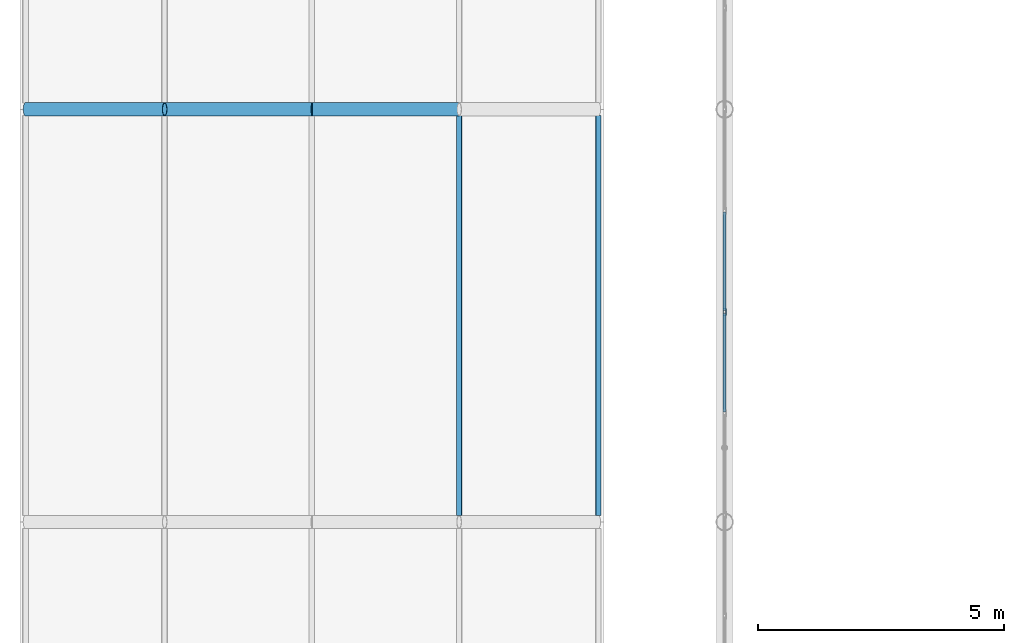
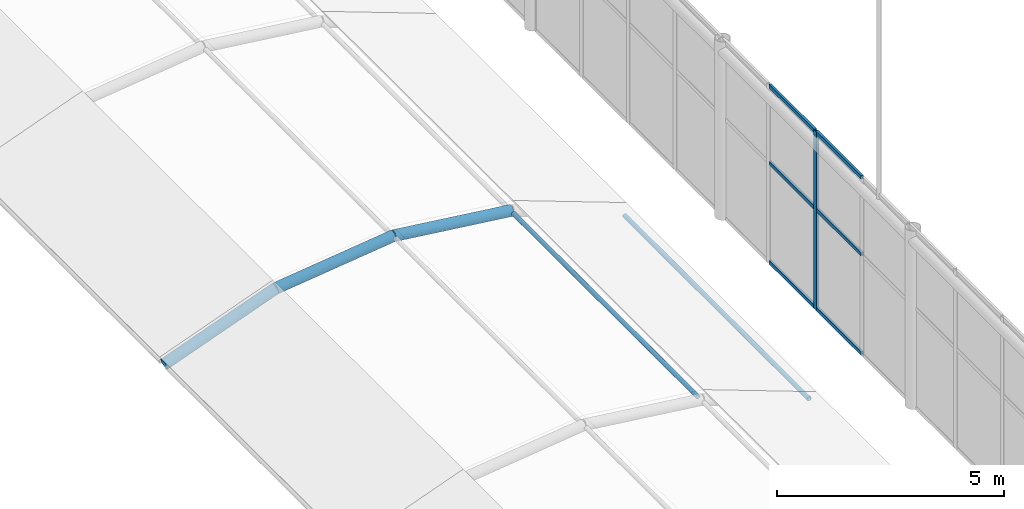
# One storey, part 65 of 167: 12 members, 1 element without a shape of its own.
"""IFC4 building model written with IfcOpenShell, lengths in metres."""

from ifc_helpers import new_model, si_unit, direction, frame, origin, origin_2d, place, context, subcontext, project, spatial, hollow_rectangle, hollow_circle, extrude, material, material_profile, profile_set, type_object, element, aggregate, save


model = new_model("IFC4")

# Units and contexts
model_context = context("Model", 3, precision=1e-05, world=origin(), true_north=direction((0.0, 1.0)))
body_context = subcontext(model_context, "Body", "Model", "MODEL_VIEW")
ifc_project = project(units=[si_unit("LENGTHUNIT", "METRE"), si_unit("AREAUNIT", "SQUARE_METRE"), si_unit("VOLUMEUNIT", "CUBIC_METRE"), si_unit("PLANEANGLEUNIT", "RADIAN"), si_unit("MASSUNIT", "GRAM", prefix="KILO")], contexts=[model_context])

# Site, building, storey
site_placement = place(None, origin())
site = spatial("IfcSite", under=ifc_project, at=site_placement, CompositionType="ELEMENT")
building_placement = place(site_placement, origin())
building = spatial("IfcBuilding", under=site, at=building_placement, Name="Catenary Quay Ferry Terminal", CompositionType="ELEMENT")
storey_placement = place(building_placement, frame((0.0, 0.0, 6.0)))
storey = spatial("IfcBuildingStorey", under=building, at=storey_placement, Name="L01", CompositionType="ELEMENT", Elevation=6.0)

# Curtain wall, member
ifc_material_1 = material(Name="Aluminium and glass", Category="aluminium")
curtain_wall_type = type_object("IfcCurtainWallType", Name="CWG", PredefinedType="NOTDEFINED", material=ifc_material_1)
curtain_wall_placement = place(storey_placement, origin())
curtain_wall = element("IfcCurtainWall", 1, at=curtain_wall_placement, inside=storey, type_object=curtain_wall_type, Name="Gable departure hall curtain wall CW16", PredefinedType="NOTDEFINED")
ifc_material_2 = material(Name="Aluminium", Category="aluminium")
ifc_material_profile_1 = material_profile(ifc_material_2, hollow_rectangle(XDim=0.06005859375, YDim=0.139892578125, WallThickness=0.006103515625, at=origin_2d()), Name="MU2")
ifc_profile_set_1 = profile_set([ifc_material_profile_1], Name="Aluminium")
member_type_1 = type_object("IfcMemberType", Name="MU2", PredefinedType="MULLION", material=ifc_profile_set_1)
member_1_placement = place(storey_placement, frame((25.199951171875, 121.875, 0.0), z_axis=(0.0, 0.0, 1.0), x_axis=(-1.0, 0.0, 0.0)))
member_1 = element("IfcMember", 2, at=member_1_placement, type_object=member_type_1, Name="CW16 mullion 7", PredefinedType="MULLION", context=body_context, shape_type="SweptSolid", body=[
    extrude(hollow_rectangle(XDim=0.06005859375, YDim=0.139892578125, WallThickness=0.006103515625, at=origin_2d()), origin(), (0.0, 0.0, 1.0), 4.800048828125),
])

# Members
ifc_material_3 = material(Name="Steel S355", Category="steel")
ifc_material_profile_2 = material_profile(ifc_material_3, hollow_circle(Radius=0.05712890625, WallThickness=0.00634765625, at=origin_2d()), Name="CHS 114.3x6.3")
ifc_profile_set_2 = profile_set([ifc_material_profile_2], Name="Steel S355")
member_type_2 = type_object("IfcMemberType", Name="PU2 CHS 114.3x6.3", PredefinedType="PURLIN", material=ifc_profile_set_2)
for number, where, z_axis, x_axis, name in (
    (3, (19.797119140625, 117.72998046875, 2.031005859375), (0.0, 1.0, 0.0), (-1.0, 0.0, 0.0), "Purlin PU-FC-07-04"),
    (4, (22.62890625, 117.72998046875, 0.98388671875), (0.0, 1.0, 0.0), (-1.0, 0.0, 0.0), "Purlin PU-FC-07-05"),
):
    element("IfcMember", number, at=place(storey_placement, frame(where, z_axis=z_axis, x_axis=x_axis)), inside=storey, type_object=member_type_2, Name=name, PredefinedType="PURLIN", context=body_context, shape_type="SweptSolid", body=[
        extrude(hollow_circle(Radius=0.05712890625, WallThickness=0.00634765625, at=origin_2d()), origin(), (0.0, 0.0, 1.0), 8.14013671875),
    ])

# Member
ifc_material_4 = material(Name="Aluminium", Category="aluminium")
ifc_material_profile_3 = material_profile(ifc_material_4, hollow_rectangle(XDim=0.06005859375, YDim=0.10009765625, WallThickness=0.0048828125, at=origin_2d()), Name="TR2")
ifc_profile_set_3 = profile_set([ifc_material_profile_3], Name="Aluminium")
member_type_3 = type_object("IfcMemberType", Name="TR2", PredefinedType="USERDEFINED", material=ifc_profile_set_3)
member_2_placement = place(storey_placement, frame((25.199951171875, 119.842529296875, 0.030029296875), z_axis=(0.0, 1.0, 0.0), x_axis=(-1.0, 0.0, 0.0)))
member_2 = element("IfcMember", 5, at=member_2_placement, type_object=member_type_3, Name="CW16 transom 6.1", ObjectType="TRANSOM", PredefinedType="USERDEFINED", context=body_context, shape_type="SweptSolid", body=[
    extrude(hollow_rectangle(XDim=0.06005859375, YDim=0.10009765625, WallThickness=0.0048828125, at=origin_2d()), origin(), (0.0, 0.0, 1.0), 2.00244140625),
])

member_3_placement = place(storey_placement, frame((25.199951171875, 119.842529296875, 2.699951171875), z_axis=(0.0, 1.0, 0.0), x_axis=(-1.0, 0.0, 0.0)))
member_3 = element("IfcMember", 6, at=member_3_placement, type_object=member_type_3, Name="CW16 transom 6.2", ObjectType="TRANSOM", PredefinedType="USERDEFINED", context=body_context, shape_type="SweptSolid", body=[
    extrude(hollow_rectangle(XDim=0.06005859375, YDim=0.10009765625, WallThickness=0.0048828125, at=origin_2d()), origin(), (0.0, 0.0, 1.0), 2.00244140625),
])

member_4_placement = place(storey_placement, frame((25.199951171875, 119.842529296875, 4.77001953125), z_axis=(0.0, 1.0, 0.0), x_axis=(-1.0, 0.0, 0.0)))
member_4 = element("IfcMember", 7, at=member_4_placement, type_object=member_type_3, Name="CW16 transom 6.3", ObjectType="TRANSOM", PredefinedType="USERDEFINED", context=body_context, shape_type="SweptSolid", body=[
    extrude(hollow_rectangle(XDim=0.06005859375, YDim=0.10009765625, WallThickness=0.0048828125, at=origin_2d()), origin(), (0.0, 0.0, 1.0), 2.00244140625),
])

member_5_placement = place(storey_placement, frame((25.199951171875, 121.905029296875, 0.030029296875), z_axis=(0.0, 1.0, 0.0), x_axis=(-1.0, 0.0, 0.0)))
member_5 = element("IfcMember", 8, at=member_5_placement, type_object=member_type_3, Name="CW16 transom 7.1", ObjectType="TRANSOM", PredefinedType="USERDEFINED", context=body_context, shape_type="SweptSolid", body=[
    extrude(hollow_rectangle(XDim=0.06005859375, YDim=0.10009765625, WallThickness=0.0048828125, at=origin_2d()), origin(), (0.0, 0.0, 1.0), 2.00244140625),
])

member_6_placement = place(storey_placement, frame((25.199951171875, 121.905029296875, 2.699951171875), z_axis=(0.0, 1.0, 0.0), x_axis=(-1.0, 0.0, 0.0)))
member_6 = element("IfcMember", 9, at=member_6_placement, type_object=member_type_3, Name="CW16 transom 7.2", ObjectType="TRANSOM", PredefinedType="USERDEFINED", context=body_context, shape_type="SweptSolid", body=[
    extrude(hollow_rectangle(XDim=0.06005859375, YDim=0.10009765625, WallThickness=0.0048828125, at=origin_2d()), origin(), (0.0, 0.0, 1.0), 2.00244140625),
])

member_7_placement = place(storey_placement, frame((25.199951171875, 121.905029296875, 4.77001953125), z_axis=(0.0, 1.0, 0.0), x_axis=(-1.0, 0.0, 0.0)))
member_7 = element("IfcMember", 10, at=member_7_placement, type_object=member_type_3, Name="CW16 transom 7.3", ObjectType="TRANSOM", PredefinedType="USERDEFINED", context=body_context, shape_type="SweptSolid", body=[
    extrude(hollow_rectangle(XDim=0.06005859375, YDim=0.10009765625, WallThickness=0.0048828125, at=origin_2d()), origin(), (0.0, 0.0, 1.0), 2.00244140625),
])

aggregate(curtain_wall, [member_1, member_2, member_3, member_4, member_5, member_6, member_7])

# Members
ifc_material_5 = material(Name="Steel S355", Category="steel")
ifc_material_profile_4 = material_profile(ifc_material_5, hollow_circle(Radius=0.136474609375, WallThickness=0.012451171875, at=origin_2d()), Name="CHS 273x12.5")
ifc_profile_set_4 = profile_set([ifc_material_profile_4], Name="Steel S355")
member_type_4 = type_object("IfcMemberType", Name="VR2 CHS 273x12.5", PredefinedType="RAFTER", material=ifc_profile_set_4)
member_8_placement = place(storey_placement, frame((10.970947265625, 126.0, 0.98388671875), z_axis=(0.937940762231, 0.0, 0.346795511139), x_axis=(0.0, 1.0, 0.0)))
element("IfcMember", 11, at=member_8_placement, inside=storey, type_object=member_type_4, Name="rib FC-08-02", PredefinedType="RAFTER", context=body_context, shape_type="SweptSolid", body=[
    extrude(hollow_circle(Radius=0.136474609375, WallThickness=0.012451171875, at=origin_2d()), origin(), (0.0, 0.0, 1.0), 3.01953125),
])
for number, where, z_axis, x_axis, name in (
    (12, (13.802978515625, 126.0, 2.031005859375), (0.992509955251, 0.0, 0.122163778298), (0.0, 1.0, 0.0), "rib FC-08-03"),
    (13, (16.800048828125, 126.0, 2.39990234375), (0.992509955251, 0.0, -0.122163778298), (0.0, 1.0, 0.0), "rib FC-08-04"),
):
    element("IfcMember", number, at=place(storey_placement, frame(where, z_axis=z_axis, x_axis=x_axis)), inside=storey, type_object=member_type_4, Name=name, PredefinedType="RAFTER", context=body_context, shape_type="SweptSolid", body=[
        extrude(hollow_circle(Radius=0.136474609375, WallThickness=0.012451171875, at=origin_2d()), origin(), (0.0, 0.0, 1.0), 3.019775390625),
    ])

save(model, "model.ifc")
